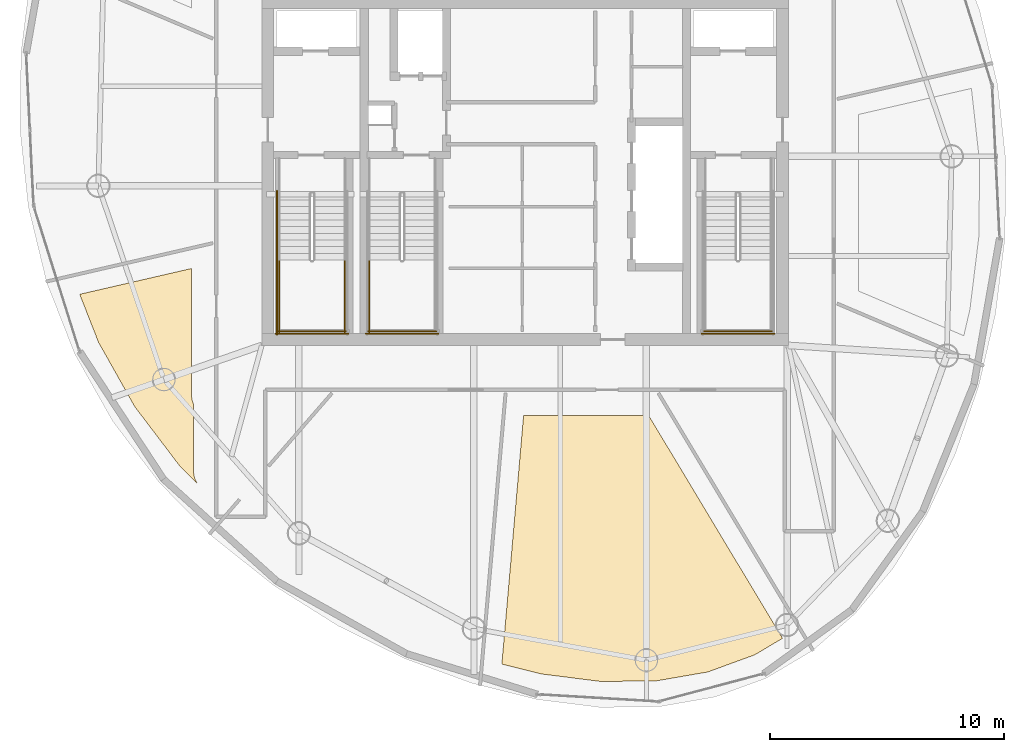
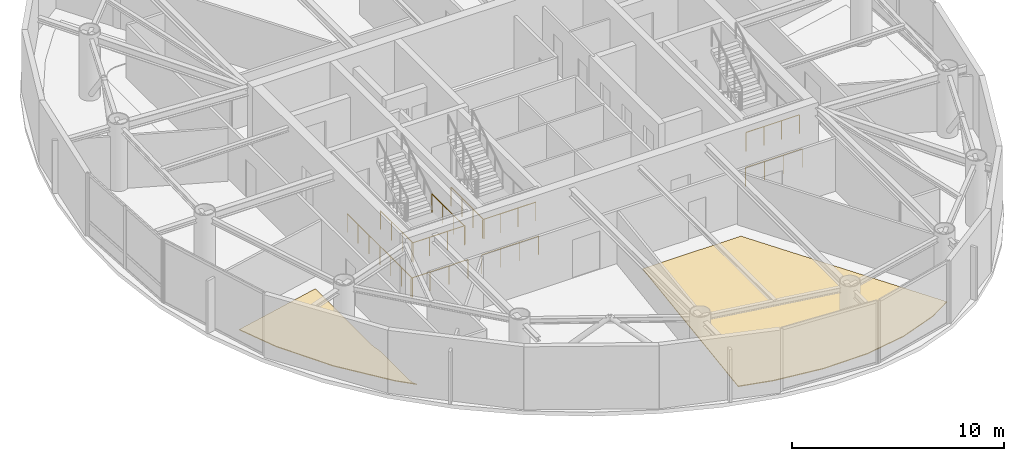
# One storey, part 17 of 19: 10 railings, 2 coverings.
"""IFC4 building model written with IfcOpenShell, lengths in metres."""

from ifc_helpers import new_model, si_unit, direction, frame, origin, origin_2d, place, context, subcontext, project, spatial, polyline, circle, outline, extrude, material, layer, layer_set, type_object, element, save


model = new_model("IFC4")

# Units and contexts
model_context = context("Model", 3, precision=1e-05, world=origin(), true_north=direction((0.0, 1.0)))
body_context = subcontext(model_context, "Body", "Model", "MODEL_VIEW")
ifc_project = project(units=[si_unit("LENGTHUNIT", "METRE"), si_unit("AREAUNIT", "SQUARE_METRE"), si_unit("VOLUMEUNIT", "CUBIC_METRE"), si_unit("PLANEANGLEUNIT", "RADIAN"), si_unit("MASSUNIT", "GRAM", prefix="KILO")], contexts=[model_context])

# Site, building, storey
site_placement = place(None, origin())
site = spatial("IfcSite", under=ifc_project, at=site_placement, CompositionType="ELEMENT")
building_placement = place(site_placement, origin())
building = spatial("IfcBuilding", under=site, at=building_placement, Name="Bramvorn Convention Spire", CompositionType="ELEMENT")
storey_placement = place(building_placement, frame((0.0, 0.0, 292.10009765625)))
storey = spatial("IfcBuildingStorey", under=building, at=storey_placement, Name="L74", CompositionType="ELEMENT", Elevation=292.10009765625)

# Coverings
ifc_material_1 = material(Name="Calcium-Sulphate Raised Access Office Floor", Category="steel")
ifc_layer = layer(ifc_material_1, 0.044921875)
ifc_layer_set = layer_set([ifc_layer], Name="Calcium-Sulphate Raised Access Office Floor - FLR-RAISED-45")
covering_type = type_object("IfcCoveringType", Name="FLR-RAISED-45", PredefinedType="FLOORING", material=ifc_layer_set)
covering_1_placement = place(storey_placement, origin())
element("IfcCovering", 1, at=covering_1_placement, inside=storey, type_object=covering_type, Name="L74 Studio Espresso Kitchen 6 raised floor finish", PredefinedType="FLOORING", context=body_context, shape_type="SweptSolid", body=[
    extrude(outline(polyline([(23.22705078125, 13.41943359375), (23.9892578125, 12.645751953125), (23.8837890625, 12.858154296875), (23.8310546875, 13.135009765625), (23.830078125, 16.04248046875), (23.766357421875, 16.234130859375), (23.75, 16.39990234375), (23.75, 21.837890625), (18.96923828125, 20.734130859375), (19.777099609375, 18.675537109375), (21.3203125, 15.933837890625), (23.22705078125, 13.41943359375)])), origin(), (0.0, 0.0, 1.0), 0.044921875),
])
covering_2_placement = place(storey_placement, origin())
element("IfcCovering", 2, at=covering_2_placement, inside=storey, type_object=covering_type, Name="L74 Tenant Briefing Room 8 raised floor finish", PredefinedType="FLOORING", context=body_context, shape_type="SweptSolid", body=[
    extrude(outline(polyline([(41.240478515625, 4.187255859375), (43.619140625, 4.214599609375), (45.810791015625, 4.59375), (47.816650390625, 5.325927734375), (49.005615234375, 6.033203125), (43.287353515625, 15.550048828125), (37.93896484375, 15.550048828125), (37.010009765625, 4.93310546875), (38.69482421875, 4.510498046875), (41.240478515625, 4.187255859375)])), origin(), (0.0, 0.0, 1.0), 0.044921875),
])

# Railings
ifc_material_2 = material(Name="Painted Steel Balustrade & Guardrail", Category="steel")
railing_type = type_object("IfcRailingType", Name="RL-STAIR-GUARD-1100", PredefinedType="GUARDRAIL", material=ifc_material_2)
for number, where, name in (
    (3, (27.5, 22.199951171875, 1.9248046875), "L74 ST1 stair guard 3"),
    (4, (30.300048828125, 22.199951171875, 1.9248046875), "L74 ST1 stair guard 4"),
):
    element("IfcRailing", number, at=place(storey_placement, frame(where)), inside=storey, type_object=railing_type, Name=name, PredefinedType="GUARDRAIL", context=body_context, shape_type="SweptSolid", body=[
        extrude(circle(Radius=0.02392578125, at=origin_2d()), frame((0.0, 0.0, 1.076171875), z_axis=(0.0, -1.0, 0.0), x_axis=(1.0, 0.0, 0.0)), (0.0, 0.0, 1.0), 3.099853515625),
        extrude(circle(Radius=0.02099609375, at=origin_2d()), origin(), (0.0, 0.0, 1.0), 1.052001953125),
        extrude(circle(Radius=0.02099609375, at=origin_2d()), frame((0.0, -1.033203125, 0.0)), (0.0, 0.0, 1.0), 1.052001953125),
        extrude(circle(Radius=0.02099609375, at=origin_2d()), frame((0.0, -2.066650390625, 0.0)), (0.0, 0.0, 1.0), 1.052001953125),
        extrude(circle(Radius=0.02099609375, at=origin_2d()), frame((0.0, -3.099853515625, 0.0)), (0.0, 0.0, 1.0), 1.052001953125),
    ])
railing_1_placement = place(storey_placement, frame((27.449951171875, 19.14990234375, 1.9248046875)))
element("IfcRailing", 5, at=railing_1_placement, inside=storey, type_object=railing_type, Name="L74 ST1 stair guard 5", PredefinedType="GUARDRAIL", context=body_context, shape_type="SweptSolid", body=[
    extrude(circle(Radius=0.02392578125, at=origin_2d()), frame((0.0, 0.0, 1.076171875), z_axis=(1.0, 0.0, 0.0), x_axis=(0.0, 1.0, 0.0)), (0.0, 0.0, 1.0), 2.900146484375),
    extrude(circle(Radius=0.02099609375, at=origin_2d()), origin(), (0.0, 0.0, 1.0), 1.052001953125),
    extrude(circle(Radius=0.02099609375, at=origin_2d()), frame((0.966796875, 0.0, 0.0)), (0.0, 0.0, 1.0), 1.052001953125),
    extrude(circle(Radius=0.02099609375, at=origin_2d()), frame((1.933349609375, 0.0, 0.0)), (0.0, 0.0, 1.0), 1.052001953125),
    extrude(circle(Radius=0.02099609375, at=origin_2d()), frame((2.900146484375, 0.0, 0.0)), (0.0, 0.0, 1.0), 1.052001953125),
])
railing_2_placement = place(storey_placement, frame((27.39990234375, 25.14990234375, 0.0)))
element("IfcRailing", 6, at=railing_2_placement, inside=storey, type_object=railing_type, Name="L74 ST1 stair guard 10", PredefinedType="GUARDRAIL", context=body_context, shape_type="SweptSolid", body=[
    extrude(circle(Radius=0.02392578125, at=origin_2d()), frame((0.0, 0.0, 1.076171875), z_axis=(0.0, -1.0, 0.0), x_axis=(1.0, 0.0, 0.0)), (0.0, 0.0, 1.0), 6.14990234375),
    extrude(circle(Radius=0.02099609375, at=origin_2d()), origin(), (0.0, 0.0, 1.0), 1.052001953125),
    extrude(circle(Radius=0.02099609375, at=origin_2d()), frame((0.0, -1.02490234375, 0.0)), (0.0, 0.0, 1.0), 1.052001953125),
    extrude(circle(Radius=0.02099609375, at=origin_2d()), frame((0.0, -2.050048828125, 0.0)), (0.0, 0.0, 1.0), 1.052001953125),
    extrude(circle(Radius=0.02099609375, at=origin_2d()), frame((0.0, -3.074951171875, 0.0)), (0.0, 0.0, 1.0), 1.052001953125),
    extrude(circle(Radius=0.02099609375, at=origin_2d()), frame((0.0, -4.099853515625, 0.0)), (0.0, 0.0, 1.0), 1.052001953125),
    extrude(circle(Radius=0.02099609375, at=origin_2d()), frame((0.0, -5.125, 0.0)), (0.0, 0.0, 1.0), 1.052001953125),
    extrude(circle(Radius=0.02099609375, at=origin_2d()), frame((0.0, -6.14990234375, 0.0)), (0.0, 0.0, 1.0), 1.052001953125),
])
railing_3_placement = place(storey_placement, frame((27.35009765625, 19.050048828125, 0.0)))
element("IfcRailing", 7, at=railing_3_placement, inside=storey, type_object=railing_type, Name="L74 ST1 stair guard 12", PredefinedType="GUARDRAIL", context=body_context, shape_type="SweptSolid", body=[
    extrude(circle(Radius=0.02392578125, at=origin_2d()), frame((0.0, 0.0, 1.076171875), z_axis=(1.0, 0.0, 0.0), x_axis=(0.0, 1.0, 0.0)), (0.0, 0.0, 1.0), 3.099853515625),
    extrude(circle(Radius=0.02099609375, at=origin_2d()), origin(), (0.0, 0.0, 1.0), 1.052001953125),
    extrude(circle(Radius=0.02099609375, at=origin_2d()), frame((1.033203125, 0.0, 0.0)), (0.0, 0.0, 1.0), 1.052001953125),
    extrude(circle(Radius=0.02099609375, at=origin_2d()), frame((2.066650390625, 0.0, 0.0)), (0.0, 0.0, 1.0), 1.052001953125),
    extrude(circle(Radius=0.02099609375, at=origin_2d()), frame((3.099853515625, 0.0, 0.0)), (0.0, 0.0, 1.0), 1.052001953125),
])
railing_4_placement = place(storey_placement, frame((45.64990234375, 19.14990234375, 1.9248046875)))
element("IfcRailing", 8, at=railing_4_placement, inside=storey, type_object=railing_type, Name="L74 ST2 stair guard 5", PredefinedType="GUARDRAIL", context=body_context, shape_type="SweptSolid", body=[
    extrude(circle(Radius=0.02392578125, at=origin_2d()), frame((0.0, 0.0, 1.076171875), z_axis=(1.0, 0.0, 0.0), x_axis=(0.0, 1.0, 0.0)), (0.0, 0.0, 1.0), 2.900146484375),
    extrude(circle(Radius=0.02099609375, at=origin_2d()), origin(), (0.0, 0.0, 1.0), 1.052001953125),
    extrude(circle(Radius=0.02099609375, at=origin_2d()), frame((0.966796875, 0.0, 0.0)), (0.0, 0.0, 1.0), 1.052001953125),
    extrude(circle(Radius=0.02099609375, at=origin_2d()), frame((1.933349609375, 0.0, 0.0)), (0.0, 0.0, 1.0), 1.052001953125),
    extrude(circle(Radius=0.02099609375, at=origin_2d()), frame((2.900146484375, 0.0, 0.0)), (0.0, 0.0, 1.0), 1.052001953125),
])
railing_5_placement = place(storey_placement, frame((45.550048828125, 19.050048828125, 0.0)))
element("IfcRailing", 9, at=railing_5_placement, inside=storey, type_object=railing_type, Name="L74 ST2 stair guard 12", PredefinedType="GUARDRAIL", context=body_context, shape_type="SweptSolid", body=[
    extrude(circle(Radius=0.02392578125, at=origin_2d()), frame((0.0, 0.0, 1.076171875), z_axis=(1.0, 0.0, 0.0), x_axis=(0.0, 1.0, 0.0)), (0.0, 0.0, 1.0), 3.099853515625),
    extrude(circle(Radius=0.02099609375, at=origin_2d()), origin(), (0.0, 0.0, 1.0), 1.052001953125),
    extrude(circle(Radius=0.02099609375, at=origin_2d()), frame((1.033203125, 0.0, 0.0)), (0.0, 0.0, 1.0), 1.052001953125),
    extrude(circle(Radius=0.02099609375, at=origin_2d()), frame((2.066650390625, 0.0, 0.0)), (0.0, 0.0, 1.0), 1.052001953125),
    extrude(circle(Radius=0.02099609375, at=origin_2d()), frame((3.099853515625, 0.0, 0.0)), (0.0, 0.0, 1.0), 1.052001953125),
])
railing_6_placement = place(storey_placement, frame((31.35009765625, 22.199951171875, 1.9248046875)))
element("IfcRailing", 10, at=railing_6_placement, inside=storey, type_object=railing_type, Name="L74 ST3 stair guard 3", PredefinedType="GUARDRAIL", context=body_context, shape_type="SweptSolid", body=[
    extrude(circle(Radius=0.02392578125, at=origin_2d()), frame((0.0, 0.0, 1.076171875), z_axis=(0.0, -1.0, 0.0), x_axis=(1.0, 0.0, 0.0)), (0.0, 0.0, 1.0), 3.099853515625),
    extrude(circle(Radius=0.02099609375, at=origin_2d()), origin(), (0.0, 0.0, 1.0), 1.052001953125),
    extrude(circle(Radius=0.02099609375, at=origin_2d()), frame((0.0, -1.033203125, 0.0)), (0.0, 0.0, 1.0), 1.052001953125),
    extrude(circle(Radius=0.02099609375, at=origin_2d()), frame((0.0, -2.066650390625, 0.0)), (0.0, 0.0, 1.0), 1.052001953125),
    extrude(circle(Radius=0.02099609375, at=origin_2d()), frame((0.0, -3.099853515625, 0.0)), (0.0, 0.0, 1.0), 1.052001953125),
])
railing_7_placement = place(storey_placement, frame((31.300048828125, 19.14990234375, 1.9248046875)))
element("IfcRailing", 11, at=railing_7_placement, inside=storey, type_object=railing_type, Name="L74 ST3 stair guard 5", PredefinedType="GUARDRAIL", context=body_context, shape_type="SweptSolid", body=[
    extrude(circle(Radius=0.02392578125, at=origin_2d()), frame((0.0, 0.0, 1.076171875), z_axis=(1.0, 0.0, 0.0), x_axis=(0.0, 1.0, 0.0)), (0.0, 0.0, 1.0), 2.89990234375),
    extrude(circle(Radius=0.02099609375, at=origin_2d()), origin(), (0.0, 0.0, 1.0), 1.052001953125),
    extrude(circle(Radius=0.02099609375, at=origin_2d()), frame((0.966552734375, 0.0, 0.0)), (0.0, 0.0, 1.0), 1.052001953125),
    extrude(circle(Radius=0.02099609375, at=origin_2d()), frame((1.933349609375, 0.0, 0.0)), (0.0, 0.0, 1.0), 1.052001953125),
    extrude(circle(Radius=0.02099609375, at=origin_2d()), frame((2.89990234375, 0.0, 0.0)), (0.0, 0.0, 1.0), 1.052001953125),
])
railing_8_placement = place(storey_placement, frame((31.199951171875, 19.050048828125, 0.0)))
element("IfcRailing", 12, at=railing_8_placement, inside=storey, type_object=railing_type, Name="L74 ST3 stair guard 12", PredefinedType="GUARDRAIL", context=body_context, shape_type="SweptSolid", body=[
    extrude(circle(Radius=0.02392578125, at=origin_2d()), frame((0.0, 0.0, 1.076171875), z_axis=(1.0, 0.0, 0.0), x_axis=(0.0, 1.0, 0.0)), (0.0, 0.0, 1.0), 3.10009765625),
    extrude(circle(Radius=0.02099609375, at=origin_2d()), origin(), (0.0, 0.0, 1.0), 1.052001953125),
    extrude(circle(Radius=0.02099609375, at=origin_2d()), frame((1.033447265625, 0.0, 0.0)), (0.0, 0.0, 1.0), 1.052001953125),
    extrude(circle(Radius=0.02099609375, at=origin_2d()), frame((2.066650390625, 0.0, 0.0)), (0.0, 0.0, 1.0), 1.052001953125),
    extrude(circle(Radius=0.02099609375, at=origin_2d()), frame((3.10009765625, 0.0, 0.0)), (0.0, 0.0, 1.0), 1.052001953125),
])

save(model, "model.ifc")
